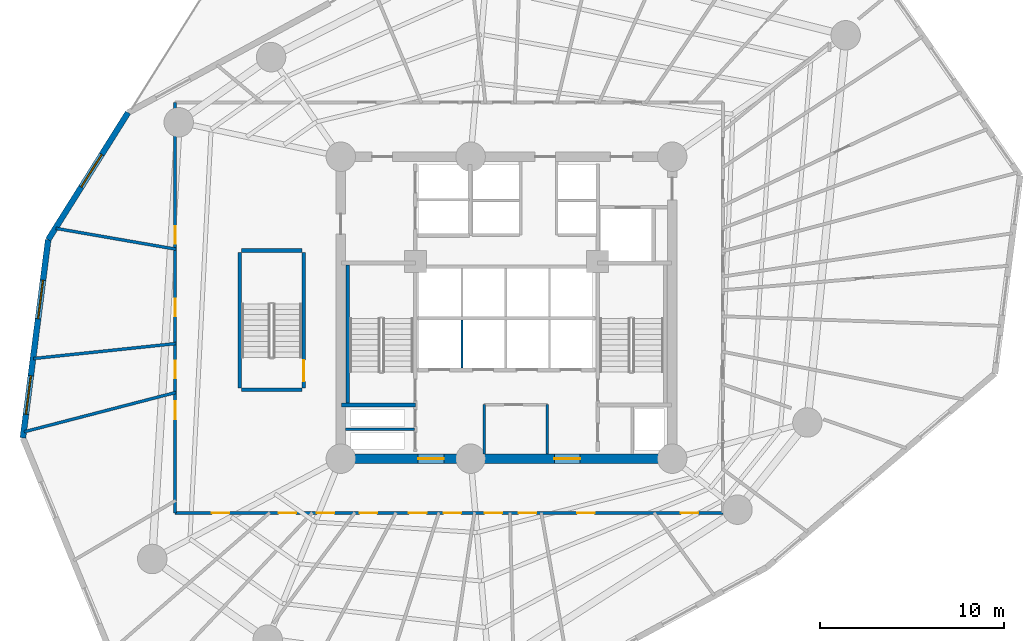
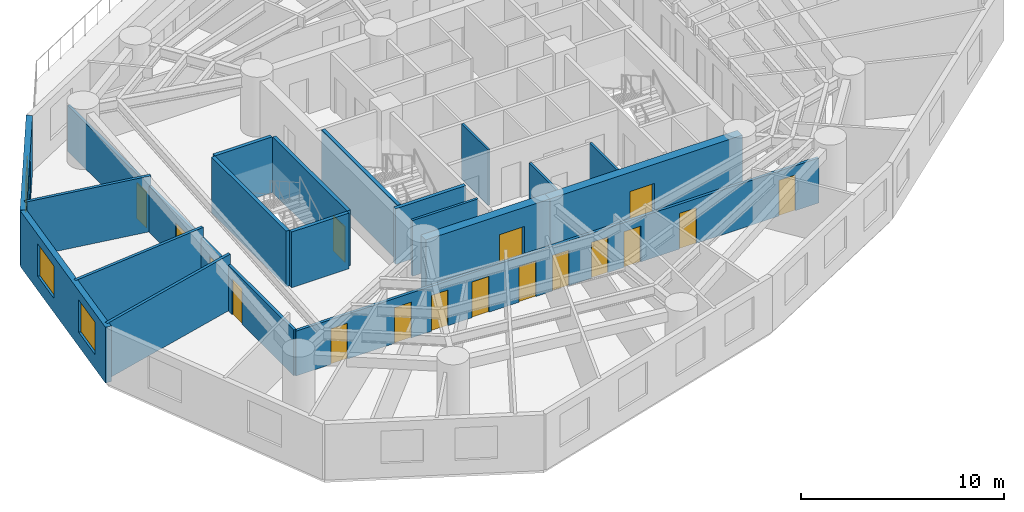
# One storey, part 3 of 9: 19 walls, 17 doors, 3 windows, 20 openings.
"""IFC4 building model written with IfcOpenShell, lengths in metres."""

from ifc_helpers import new_model, si_unit, direction, frame, frame_2d, origin, origin_with_axes, place, context, subcontext, project, spatial, rectangle, extrude, source, transform, mapped, material, layer, layer_set, type_object, element, fill, save


model = new_model("IFC4")

# Units and contexts
model_context = context("Model", 3, precision=1e-05, world=origin(), true_north=direction((0.0, 1.0)))
body_context = subcontext(model_context, "Body", "Model", "MODEL_VIEW")
ifc_project = project(units=[si_unit("LENGTHUNIT", "METRE"), si_unit("AREAUNIT", "SQUARE_METRE"), si_unit("VOLUMEUNIT", "CUBIC_METRE"), si_unit("PLANEANGLEUNIT", "RADIAN"), si_unit("MASSUNIT", "GRAM", prefix="KILO")], contexts=[model_context])

# Site, building, storey
site_placement = place(None, origin())
site = spatial("IfcSite", under=ifc_project, at=site_placement, CompositionType="ELEMENT")
building_placement = place(site_placement, origin())
building = spatial("IfcBuilding", under=site, at=building_placement, Name="Karkom Vertical University and Central Library", CompositionType="ELEMENT")
storey_placement = place(building_placement, frame((0.0, 0.0, 26.5)))
storey = spatial("IfcBuildingStorey", under=building, at=storey_placement, Name="L06", CompositionType="ELEMENT", Elevation=26.5)

# Wall, opening, window
ifc_material_1 = material(Name="Brick-faced precast concrete C45/55", Category="masonry")
ifc_layer_1 = layer(ifc_material_1, 0.320068359375)
ifc_layer_set_1 = layer_set([ifc_layer_1], Name="Brick-faced precast concrete C45/55")
wall_type_1 = type_object("IfcWallType", Name="ENV-WL-BRK-320", PredefinedType="SOLIDWALL", material=ifc_layer_set_1)
wall_1_placement = place(storey_placement, frame((7.9443359375, 37.095947265625, 0.0), z_axis=(0.0, 0.0, 1.0), x_axis=(-0.531962963156, -0.846767622096, 0.0)))
wall_1 = element("IfcWall", 1, at=wall_1_placement, inside=storey, type_object=wall_type_1, Name="Level 06 Brick-Faced Precast Facade Wall 01", PredefinedType="SOLIDWALL", context=body_context, shape_type="SweptSolid", body=[
    extrude(rectangle(XDim=8.15087890625, YDim=0.320068359375, at=frame_2d((4.075439453125, 0.0))), origin(), (0.0, 0.0, 1.0), 3.35009765625),
])
opening_1_placement = place(wall_1_placement, frame((2.677001953125, 0.0, 0.85009765625)))
opening_1 = element("IfcOpeningElement", 2, at=opening_1_placement, cuts=wall_1, Name="Opening WN-03", PredefinedType="OPENING", context=body_context, shape_type="SweptSolid", body=[
    extrude(rectangle(XDim=2.10009765625, YDim=1.949951171875, at=frame_2d((1.050048828125, 0.97509765625))), frame((0.0, 0.169921875, 0.0), z_axis=(0.0, -1.0, 0.0), x_axis=(1.0, 0.0, 0.0)), (0.0, 0.0, 1.0), 0.340087890625),
])
ifc_material_2 = material(Name="Aluminium thermal-break frame with solar-control IGU", Category="aluminium")
window_type = type_object("IfcWindowType", Name="ENV-WIN-WN-03", PartitioningType="SINGLE_PANEL", PredefinedType="WINDOW", material=ifc_material_2)
shared_shape_1 = source(origin_with_axes(), body_context, "Body", "SweptSolid", [
    extrude(rectangle(XDim=2.10009765625, YDim=1.949951171875, at=frame_2d((1.050048828125, 0.97509765625))), frame((0.0, 0.030029296875, 0.0), z_axis=(0.0, -1.0, 0.0), x_axis=(1.0, 0.0, 0.0)), (0.0, 0.0, 1.0), 0.06005859375),
])
window_1_placement = place(opening_1_placement, origin())
window_1 = element("IfcWindow", 3, at=window_1_placement, inside=storey, type_object=window_type, Name="Level 06 Punched Window 1.1", OverallHeight=1.949951171875, OverallWidth=2.10009765625, PartitioningType="SINGLE_PANEL", PredefinedType="WINDOW", context=body_context, shape_type="MappedRepresentation", body=[
    mapped(shared_shape_1, transform((0.0, 0.0, 0.0), scale=1.0)),
])
fill(opening_1, window_1)

# Wall, openings, windows
wall_2_placement = place(storey_placement, frame((3.6083984375, 30.194091796875, 0.0), z_axis=(0.0, 0.0, 1.0), x_axis=(-0.126495776424, -0.991967145901, 0.0)))
wall_2 = element("IfcWall", 4, at=wall_2_placement, inside=storey, type_object=wall_type_1, Name="Level 06 Brick-Faced Precast Facade Wall 02", PredefinedType="SOLIDWALL", context=body_context, shape_type="SweptSolid", body=[
    extrude(rectangle(XDim=10.8525390625, YDim=0.320068359375, at=frame_2d((5.42626953125, 0.0))), origin(), (0.0, 0.0, 1.0), 3.35009765625),
])
opening_2_placement = place(wall_2_placement, frame((2.22802734375, 0.0, 0.85009765625)))
opening_2 = element("IfcOpeningElement", 5, at=opening_2_placement, cuts=wall_2, Name="Opening WN-03", PredefinedType="OPENING", context=body_context, shape_type="SweptSolid", body=[
    extrude(rectangle(XDim=2.10009765625, YDim=1.949951171875, at=frame_2d((1.050048828125, 0.97509765625))), frame((0.0, 0.169921875, 0.0), z_axis=(0.0, -1.0, 0.0), x_axis=(1.0, 0.0, 0.0)), (0.0, 0.0, 1.0), 0.340087890625),
])
opening_3_placement = place(wall_2_placement, frame((7.448974609375, 0.0, 0.85009765625)))
opening_3 = element("IfcOpeningElement", 6, at=opening_3_placement, cuts=wall_2, Name="Opening WN-03", PredefinedType="OPENING", context=body_context, shape_type="SweptSolid", body=[
    extrude(rectangle(XDim=2.10009765625, YDim=1.949951171875, at=frame_2d((1.050048828125, 0.97509765625))), frame((0.0, 0.169921875, 0.0), z_axis=(0.0, -1.0, 0.0), x_axis=(1.0, 0.0, 0.0)), (0.0, 0.0, 1.0), 0.340087890625),
])
window_2_placement = place(opening_2_placement, origin())
window_2 = element("IfcWindow", 7, at=window_2_placement, inside=storey, type_object=window_type, Name="Level 06 Punched Window 2.1", OverallHeight=1.949951171875, OverallWidth=2.10009765625, PartitioningType="SINGLE_PANEL", PredefinedType="WINDOW", context=body_context, shape_type="MappedRepresentation", body=[
    mapped(shared_shape_1, transform((0.0, 0.0, 0.0), scale=1.0)),
])
fill(opening_2, window_2)
window_3_placement = place(opening_3_placement, origin())
window_3 = element("IfcWindow", 8, at=window_3_placement, inside=storey, type_object=window_type, Name="Level 06 Punched Window 2.2", OverallHeight=1.949951171875, OverallWidth=2.10009765625, PartitioningType="SINGLE_PANEL", PredefinedType="WINDOW", context=body_context, shape_type="MappedRepresentation", body=[
    mapped(shared_shape_1, transform((0.0, 0.0, 0.0), scale=1.0)),
])
fill(opening_3, window_3)

# Wall, openings, doors
ifc_material_3 = material(Name="Insulated metal-stud drywall 160mm", Category="gypsum")
ifc_layer_2 = layer(ifc_material_3, 0.159912109375)
ifc_layer_set_2 = layer_set([ifc_layer_2], Name="Insulated metal-stud drywall 160mm")
wall_type_2 = type_object("IfcWallType", Name="INT-WL-COR-160", PredefinedType="PARTITIONING", material=ifc_layer_set_2)
wall_3_placement = place(storey_placement, frame((40.25, 15.35009765625, 0.0), z_axis=(0.0, 0.0, 1.0), x_axis=(-1.0, 0.0, 0.0)))
wall_3 = element("IfcWall", 9, at=wall_3_placement, inside=storey, type_object=wall_type_2, Name="Level 06 Interior Partition Wall Level 06-CORW-CW-001", PredefinedType="PARTITIONING", context=body_context, shape_type="SweptSolid", body=[
    extrude(rectangle(XDim=29.75, YDim=0.159912109375, at=frame_2d((14.875, 0.0))), origin(), (0.0, 0.0, 1.0), 2.699951171875),
])
opening_4_placement = place(wall_3_placement, frame((26.802978515625, 0.0, 0.0)))
opening_4 = element("IfcOpeningElement", 10, at=opening_4_placement, cuts=wall_3, Name="Opening D-RM1", PredefinedType="OPENING", context=body_context, shape_type="SweptSolid", body=[
    extrude(rectangle(XDim=0.949951171875, YDim=2.14990234375, at=frame_2d((0.47509765625, 1.074951171875))), frame((0.0, 0.08984375, 0.0), z_axis=(0.0, -1.0, 0.0), x_axis=(1.0, 0.0, 0.0)), (0.0, 0.0, 1.0), 0.179931640625),
])
opening_5_placement = place(wall_3_placement, frame((23.181396484375, 0.0, 0.0)))
opening_5 = element("IfcOpeningElement", 11, at=opening_5_placement, cuts=wall_3, Name="Opening D-RM1", PredefinedType="OPENING", context=body_context, shape_type="SweptSolid", body=[
    extrude(rectangle(XDim=0.949951171875, YDim=2.14990234375, at=frame_2d((0.47509765625, 1.074951171875))), frame((0.0, 0.08984375, 0.0), z_axis=(0.0, -1.0, 0.0), x_axis=(1.0, 0.0, 0.0)), (0.0, 0.0, 1.0), 0.179931640625),
])
opening_6_placement = place(wall_3_placement, frame((21.097412109375, 0.0, 0.0)))
opening_6 = element("IfcOpeningElement", 12, at=opening_6_placement, cuts=wall_3, Name="Opening D-RM1", PredefinedType="OPENING", context=body_context, shape_type="SweptSolid", body=[
    extrude(rectangle(XDim=0.949951171875, YDim=2.14990234375, at=frame_2d((0.47509765625, 1.074951171875))), frame((0.0, 0.08984375, 0.0), z_axis=(0.0, -1.0, 0.0), x_axis=(1.0, 0.0, 0.0)), (0.0, 0.0, 1.0), 0.179931640625),
])
opening_7_placement = place(wall_3_placement, frame((18.7724609375, 0.0, 0.0)))
opening_7 = element("IfcOpeningElement", 13, at=opening_7_placement, cuts=wall_3, Name="Opening D-RM1", PredefinedType="OPENING", context=body_context, shape_type="SweptSolid", body=[
    extrude(rectangle(XDim=0.949951171875, YDim=2.14990234375, at=frame_2d((0.47509765625, 1.074951171875))), frame((0.0, 0.08984375, 0.0), z_axis=(0.0, -1.0, 0.0), x_axis=(1.0, 0.0, 0.0)), (0.0, 0.0, 1.0), 0.179931640625),
])
opening_8_placement = place(wall_3_placement, frame((16.08935546875, 0.0, 0.0)))
opening_8 = element("IfcOpeningElement", 14, at=opening_8_placement, cuts=wall_3, Name="Opening FD-RM2", PredefinedType="OPENING", context=body_context, shape_type="SweptSolid", body=[
    extrude(rectangle(XDim=0.9599609375, YDim=2.14990234375, at=frame_2d((0.47998046875, 1.074951171875))), frame((0.0, 0.08984375, 0.0), z_axis=(0.0, -1.0, 0.0), x_axis=(1.0, 0.0, 0.0)), (0.0, 0.0, 1.0), 0.179931640625),
])
opening_9_placement = place(wall_3_placement, frame((14.2099609375, 0.0, 0.0)))
opening_9 = element("IfcOpeningElement", 15, at=opening_9_placement, cuts=wall_3, Name="Opening D-RM1", PredefinedType="OPENING", context=body_context, shape_type="SweptSolid", body=[
    extrude(rectangle(XDim=0.949951171875, YDim=2.14990234375, at=frame_2d((0.47509765625, 1.074951171875))), frame((0.0, 0.08984375, 0.0), z_axis=(0.0, -1.0, 0.0), x_axis=(1.0, 0.0, 0.0)), (0.0, 0.0, 1.0), 0.179931640625),
])
opening_10_placement = place(wall_3_placement, frame((11.99462890625, 0.0, 0.0)))
opening_10 = element("IfcOpeningElement", 16, at=opening_10_placement, cuts=wall_3, Name="Opening D-RM1", PredefinedType="OPENING", context=body_context, shape_type="SweptSolid", body=[
    extrude(rectangle(XDim=0.949951171875, YDim=2.14990234375, at=frame_2d((0.47509765625, 1.074951171875))), frame((0.0, 0.08984375, 0.0), z_axis=(0.0, -1.0, 0.0), x_axis=(1.0, 0.0, 0.0)), (0.0, 0.0, 1.0), 0.179931640625),
])
opening_11_placement = place(wall_3_placement, frame((10.12744140625, 0.0, 0.0)))
opening_11 = element("IfcOpeningElement", 17, at=opening_11_placement, cuts=wall_3, Name="Opening FD-RM2", PredefinedType="OPENING", context=body_context, shape_type="SweptSolid", body=[
    extrude(rectangle(XDim=0.9599609375, YDim=2.14990234375, at=frame_2d((0.47998046875, 1.074951171875))), frame((0.0, 0.08984375, 0.0), z_axis=(0.0, -1.0, 0.0), x_axis=(1.0, 0.0, 0.0)), (0.0, 0.0, 1.0), 0.179931640625),
])
opening_12_placement = place(wall_3_placement, frame((6.96240234375, 0.0, 0.0)))
opening_12 = element("IfcOpeningElement", 18, at=opening_12_placement, cuts=wall_3, Name="Opening D-RM1", PredefinedType="OPENING", context=body_context, shape_type="SweptSolid", body=[
    extrude(rectangle(XDim=0.949951171875, YDim=2.14990234375, at=frame_2d((0.47509765625, 1.074951171875))), frame((0.0, 0.08984375, 0.0), z_axis=(0.0, -1.0, 0.0), x_axis=(1.0, 0.0, 0.0)), (0.0, 0.0, 1.0), 0.179931640625),
])
opening_13_placement = place(wall_3_placement, frame((1.324951171875, 0.0, 0.0)))
opening_13 = element("IfcOpeningElement", 19, at=opening_13_placement, cuts=wall_3, Name="Opening D-RM1", PredefinedType="OPENING", context=body_context, shape_type="SweptSolid", body=[
    extrude(rectangle(XDim=0.949951171875, YDim=2.14990234375, at=frame_2d((0.47509765625, 1.074951171875))), frame((0.0, 0.08984375, 0.0), z_axis=(0.0, -1.0, 0.0), x_axis=(1.0, 0.0, 0.0)), (0.0, 0.0, 1.0), 0.179931640625),
])
ifc_material_4 = material(Name="Fire-rated oak veneer door", Category="wood")
door_type_1 = type_object("IfcDoorType", Name="INT-DR-FRM2", OperationType="NOTDEFINED", PredefinedType="DOOR", material=ifc_material_4)
shared_shape_2 = source(origin_with_axes(), body_context, "Body", "SweptSolid", [
    extrude(rectangle(XDim=0.9599609375, YDim=2.14990234375, at=frame_2d((0.47998046875, 1.074951171875))), frame((0.0, 0.02490234375, 0.0), z_axis=(0.0, -1.0, 0.0), x_axis=(1.0, 0.0, 0.0)), (0.0, 0.0, 1.0), 0.050048828125),
])
door_1_placement = place(opening_8_placement, origin())
door_1 = element("IfcDoor", 20, at=door_1_placement, inside=storey, type_object=door_type_1, Name="Level 06 Room Entry Door 060", OperationType="SINGLE_SWING_LEFT", OverallHeight=2.14990234375, OverallWidth=0.9599609375, PredefinedType="DOOR", context=body_context, shape_type="MappedRepresentation", body=[
    mapped(shared_shape_2, transform((0.0, 0.0, 0.0), scale=1.0)),
])
fill(opening_8, door_1)
door_2_placement = place(opening_11_placement, origin())
door_2 = element("IfcDoor", 21, at=door_2_placement, inside=storey, type_object=door_type_1, Name="Level 06 Room Entry Door 090", OperationType="SINGLE_SWING_RIGHT", OverallHeight=2.14990234375, OverallWidth=0.9599609375, PredefinedType="DOOR", context=body_context, shape_type="MappedRepresentation", body=[
    mapped(shared_shape_2, transform((0.0, 0.0, 0.0), scale=1.0)),
])
fill(opening_11, door_2)
ifc_material_5 = material(Name="Solid-core oak veneer door", Category="wood")
door_type_2 = type_object("IfcDoorType", Name="INT-DR-RM1", OperationType="NOTDEFINED", PredefinedType="DOOR", material=ifc_material_5)
shared_shape_3 = source(origin_with_axes(), body_context, "Body", "SweptSolid", [
    extrude(rectangle(XDim=0.949951171875, YDim=2.14990234375, at=frame_2d((0.47509765625, 1.074951171875))), frame((0.0, 0.02490234375, 0.0), z_axis=(0.0, -1.0, 0.0), x_axis=(1.0, 0.0, 0.0)), (0.0, 0.0, 1.0), 0.050048828125),
])
door_3_placement = place(opening_4_placement, origin())
door_3 = element("IfcDoor", 22, at=door_3_placement, inside=storey, type_object=door_type_2, Name="Level 06 Room Entry Door 020", OperationType="SINGLE_SWING_LEFT", OverallHeight=2.14990234375, OverallWidth=0.949951171875, PredefinedType="DOOR", context=body_context, shape_type="MappedRepresentation", body=[
    mapped(shared_shape_3, transform((0.0, 0.0, 0.0), scale=1.0)),
])
fill(opening_4, door_3)
door_4_placement = place(opening_5_placement, origin())
door_4 = element("IfcDoor", 23, at=door_4_placement, inside=storey, type_object=door_type_2, Name="Level 06 Room Entry Door 030", OperationType="SINGLE_SWING_RIGHT", OverallHeight=2.14990234375, OverallWidth=0.949951171875, PredefinedType="DOOR", context=body_context, shape_type="MappedRepresentation", body=[
    mapped(shared_shape_3, transform((0.0, 0.0, 0.0), scale=1.0)),
])
fill(opening_5, door_4)
door_5_placement = place(opening_6_placement, origin())
door_5 = element("IfcDoor", 24, at=door_5_placement, inside=storey, type_object=door_type_2, Name="Level 06 Room Entry Door 040", OperationType="SINGLE_SWING_LEFT", OverallHeight=2.14990234375, OverallWidth=0.949951171875, PredefinedType="DOOR", context=body_context, shape_type="MappedRepresentation", body=[
    mapped(shared_shape_3, transform((0.0, 0.0, 0.0), scale=1.0)),
])
fill(opening_6, door_5)
door_6_placement = place(opening_7_placement, origin())
door_6 = element("IfcDoor", 25, at=door_6_placement, inside=storey, type_object=door_type_2, Name="Level 06 Room Entry Door 050", OperationType="SINGLE_SWING_RIGHT", OverallHeight=2.14990234375, OverallWidth=0.949951171875, PredefinedType="DOOR", context=body_context, shape_type="MappedRepresentation", body=[
    mapped(shared_shape_3, transform((0.0, 0.0, 0.0), scale=1.0)),
])
fill(opening_7, door_6)
door_7_placement = place(opening_9_placement, origin())
door_7 = element("IfcDoor", 26, at=door_7_placement, inside=storey, type_object=door_type_2, Name="Level 06 Room Entry Door 070", OperationType="SINGLE_SWING_RIGHT", OverallHeight=2.14990234375, OverallWidth=0.949951171875, PredefinedType="DOOR", context=body_context, shape_type="MappedRepresentation", body=[
    mapped(shared_shape_3, transform((0.0, 0.0, 0.0), scale=1.0)),
])
fill(opening_9, door_7)
door_8_placement = place(opening_10_placement, origin())
door_8 = element("IfcDoor", 27, at=door_8_placement, inside=storey, type_object=door_type_2, Name="Level 06 Room Entry Door 080", OperationType="SINGLE_SWING_LEFT", OverallHeight=2.14990234375, OverallWidth=0.949951171875, PredefinedType="DOOR", context=body_context, shape_type="MappedRepresentation", body=[
    mapped(shared_shape_3, transform((0.0, 0.0, 0.0), scale=1.0)),
])
fill(opening_10, door_8)
door_9_placement = place(opening_12_placement, origin())
door_9 = element("IfcDoor", 28, at=door_9_placement, inside=storey, type_object=door_type_2, Name="Level 06 Room Entry Door 100", OperationType="SINGLE_SWING_LEFT", OverallHeight=2.14990234375, OverallWidth=0.949951171875, PredefinedType="DOOR", context=body_context, shape_type="MappedRepresentation", body=[
    mapped(shared_shape_3, transform((0.0, 0.0, 0.0), scale=1.0)),
])
fill(opening_12, door_9)
door_10_placement = place(opening_13_placement, origin())
door_10 = element("IfcDoor", 29, at=door_10_placement, inside=storey, type_object=door_type_2, Name="Level 06 Room Entry Door 110", OperationType="SINGLE_SWING_RIGHT", OverallHeight=2.14990234375, OverallWidth=0.949951171875, PredefinedType="DOOR", context=body_context, shape_type="MappedRepresentation", body=[
    mapped(shared_shape_3, transform((0.0, 0.0, 0.0), scale=1.0)),
])
fill(opening_13, door_10)

wall_4_placement = place(storey_placement, frame((10.5, 15.35009765625, 0.0), z_axis=(0.0, 0.0, 1.0), x_axis=(0.0, 1.0, 0.0)))
wall_4 = element("IfcWall", 30, at=wall_4_placement, inside=storey, type_object=wall_type_2, Name="Level 06 Interior Partition Wall Level 06-CORW-CW-002", PredefinedType="PARTITIONING", context=body_context, shape_type="SweptSolid", body=[
    extrude(rectangle(XDim=22.2998046875, YDim=0.159912109375, at=frame_2d((11.14990234375, 0.0))), origin(), (0.0, 0.0, 1.0), 2.75),
])
opening_14_placement = place(wall_4_placement, frame((7.330078125, 0.0, 0.0)))
opening_14 = element("IfcOpeningElement", 31, at=opening_14_placement, cuts=wall_4, Name="Opening D-RM1", PredefinedType="OPENING", context=body_context, shape_type="SweptSolid", body=[
    extrude(rectangle(XDim=0.949951171875, YDim=2.14990234375, at=frame_2d((0.47509765625, 1.074951171875))), frame((0.0, 0.08984375, 0.0), z_axis=(0.0, -1.0, 0.0), x_axis=(1.0, 0.0, 0.0)), (0.0, 0.0, 1.0), 0.179931640625),
])
opening_15_placement = place(wall_4_placement, frame((5.10009765625, 0.0, 0.0)))
opening_15 = element("IfcOpeningElement", 32, at=opening_15_placement, cuts=wall_4, Name="Opening FD-RM2", PredefinedType="OPENING", context=body_context, shape_type="SweptSolid", body=[
    extrude(rectangle(XDim=0.9599609375, YDim=2.14990234375, at=frame_2d((0.47998046875, 1.074951171875))), frame((0.0, 0.08984375, 0.0), z_axis=(0.0, -1.0, 0.0), x_axis=(1.0, 0.0, 0.0)), (0.0, 0.0, 1.0), 0.179931640625),
])
opening_16_placement = place(wall_4_placement, frame((14.610107421875, 0.0, 0.0)))
opening_16 = element("IfcOpeningElement", 33, at=opening_16_placement, cuts=wall_4, Name="Opening FD-RM2", PredefinedType="OPENING", context=body_context, shape_type="SweptSolid", body=[
    extrude(rectangle(XDim=0.9599609375, YDim=2.14990234375, at=frame_2d((0.47998046875, 1.074951171875))), frame((0.0, 0.08984375, 0.0), z_axis=(0.0, -1.0, 0.0), x_axis=(1.0, 0.0, 0.0)), (0.0, 0.0, 1.0), 0.179931640625),
])
opening_17_placement = place(wall_4_placement, frame((10.675048828125, 0.0, 0.0)))
opening_17 = element("IfcOpeningElement", 34, at=opening_17_placement, cuts=wall_4, Name="Opening D-RM1", PredefinedType="OPENING", context=body_context, shape_type="SweptSolid", body=[
    extrude(rectangle(XDim=0.949951171875, YDim=2.14990234375, at=frame_2d((0.47509765625, 1.074951171875))), frame((0.0, 0.08984375, 0.0), z_axis=(0.0, -1.0, 0.0), x_axis=(1.0, 0.0, 0.0)), (0.0, 0.0, 1.0), 0.179931640625),
])
door_11_placement = place(opening_15_placement, origin())
door_11 = element("IfcDoor", 35, at=door_11_placement, inside=storey, type_object=door_type_1, Name="Level 06 Room Entry Door 010", OperationType="SINGLE_SWING_RIGHT", OverallHeight=2.14990234375, OverallWidth=0.9599609375, PredefinedType="DOOR", context=body_context, shape_type="MappedRepresentation", body=[
    mapped(shared_shape_2, transform((0.0, 0.0, 0.0), scale=1.0)),
])
fill(opening_15, door_11)
door_12_placement = place(opening_16_placement, origin())
door_12 = element("IfcDoor", 36, at=door_12_placement, inside=storey, type_object=door_type_1, Name="Level 06 Room Entry Door 300", OperationType="SINGLE_SWING_LEFT", OverallHeight=2.14990234375, OverallWidth=0.9599609375, PredefinedType="DOOR", context=body_context, shape_type="MappedRepresentation", body=[
    mapped(shared_shape_2, transform((0.0, 0.0, 0.0), scale=1.0)),
])
fill(opening_16, door_12)
door_13_placement = place(opening_14_placement, origin())
door_13 = element("IfcDoor", 37, at=door_13_placement, inside=storey, type_object=door_type_2, Name="Level 06 Room Entry Door 000", OperationType="SINGLE_SWING_LEFT", OverallHeight=2.14990234375, OverallWidth=0.949951171875, PredefinedType="DOOR", context=body_context, shape_type="MappedRepresentation", body=[
    mapped(shared_shape_3, transform((0.0, 0.0, 0.0), scale=1.0)),
])
fill(opening_14, door_13)
door_14_placement = place(opening_17_placement, origin())
door_14 = element("IfcDoor", 38, at=door_14_placement, inside=storey, type_object=door_type_2, Name="Level 06 Room Entry Door 310", OperationType="SINGLE_SWING_RIGHT", OverallHeight=2.14990234375, OverallWidth=0.949951171875, PredefinedType="DOOR", context=body_context, shape_type="MappedRepresentation", body=[
    mapped(shared_shape_3, transform((0.0, 0.0, 0.0), scale=1.0)),
])
fill(opening_17, door_14)

# Walls
wall_5_placement = place(storey_placement, frame((10.54345703125, 21.89892578125, 0.0), z_axis=(0.0, 0.0, 1.0), x_axis=(-0.96789820828, -0.25134251214, 0.0)))
element("IfcWall", 39, at=wall_5_placement, inside=storey, type_object=wall_type_2, Name="Level 06 Interior Partition Wall Level 06-PW-001", PredefinedType="PARTITIONING", context=body_context, shape_type="SweptSolid", body=[
    extrude(rectangle(XDim=8.509033203125, YDim=0.159912109375, at=frame_2d((4.25439453125, 0.0))), origin(), (0.0, 0.0, 1.0), 3.35009765625),
])
wall_6_placement = place(storey_placement, frame((2.812255859375, 23.73876953125, 0.0), z_axis=(0.0, 0.0, 1.0), x_axis=(0.994515255514, 0.104591617975, 0.0)))
element("IfcWall", 40, at=wall_6_placement, inside=storey, type_object=wall_type_2, Name="Level 06 Interior Partition Wall Level 06-PW-002", PredefinedType="PARTITIONING", context=body_context, shape_type="SweptSolid", body=[
    extrude(rectangle(XDim=7.775390625, YDim=0.159912109375, at=frame_2d((3.8876953125, 0.0))), origin(), (0.0, 0.0, 1.0), 3.35009765625),
])
wall_7_placement = place(storey_placement, frame((10.54443359375, 29.67724609375, 0.0), z_axis=(0.0, 0.0, 1.0), x_axis=(-0.985268064988, 0.171017075509, 0.0)))
element("IfcWall", 41, at=wall_7_placement, inside=storey, type_object=wall_type_2, Name="Level 06 Interior Partition Wall Level 06-PW-037", PredefinedType="PARTITIONING", context=body_context, shape_type="SweptSolid", body=[
    extrude(rectangle(XDim=6.612548828125, YDim=0.159912109375, at=frame_2d((3.30615234375, 0.0))), origin(), (0.0, 0.0, 1.0), 3.35009765625),
])
ifc_material_6 = material(Name="Moisture-resistant drywall 120mm", Category="gypsum")
ifc_layer_3 = layer(ifc_material_6, 0.1201171875)
ifc_layer_set_3 = layer_set([ifc_layer_3], Name="Moisture-resistant drywall 120mm")
wall_type_3 = type_object("IfcWallType", Name="INT-WL-INT-120H", PredefinedType="PARTITIONING", material=ifc_layer_set_3)
wall_8_placement = place(storey_placement, frame((26.080078125, 23.219970703125, 0.0), z_axis=(0.0, 0.0, 1.0), x_axis=(0.0, 1.0, 0.0)))
element("IfcWall", 42, at=wall_8_placement, inside=storey, type_object=wall_type_3, Name="Level 06 Interior Partition Wall Level 06-CW-PL-DIV1", PredefinedType="PARTITIONING", context=body_context, shape_type="SweptSolid", body=[
    extrude(rectangle(XDim=2.60009765625, YDim=0.1201171875, at=frame_2d((1.300048828125, 0.0))), origin(), (0.0, 0.0, 1.0), 3.35009765625),
])
ifc_material_7 = material(Name="Metal-stud gypsum partition 140mm", Category="gypsum")
ifc_layer_4 = layer(ifc_material_7, 0.139892578125)
ifc_layer_set_4 = layer_set([ifc_layer_4], Name="Metal-stud gypsum partition 140mm")
wall_type_4 = type_object("IfcWallType", Name="INT-WL-SUB-140", PredefinedType="PARTITIONING", material=ifc_layer_set_4)
for number, where, z_axis, x_axis, name in (
    (43, (27.280029296875, 18.550048828125, 0.0), (0.0, 0.0, 1.0), (0.0, 1.0, 0.0), "Level 06 Interior Partition Wall Level 06-CW-KBAY-W"),
    (44, (30.719970703125, 18.550048828125, 0.0), (0.0, 0.0, 1.0), (0.0, 1.0, 0.0), "Level 06 Interior Partition Wall Level 06-CW-KBAY-E"),
):
    element("IfcWall", number, at=place(storey_placement, frame(where, z_axis=z_axis, x_axis=x_axis)), inside=storey, type_object=wall_type_4, Name=name, PredefinedType="PARTITIONING", context=body_context, shape_type="SweptSolid", body=[
        extrude(rectangle(XDim=2.68994140625, YDim=0.139892578125, at=frame_2d((1.344970703125, 0.0))), origin(), (0.0, 0.0, 1.0), 3.35009765625),
    ])
ifc_layer_5 = layer(ifc_material_7, 0.139892578125)
ifc_layer_set_5 = layer_set([ifc_layer_5], Name="Metal-stud gypsum partition 140mm")
wall_type_5 = type_object("IfcWallType", Name="INT-WL-SUB-140H", PredefinedType="PARTITIONING", material=ifc_layer_set_5)
wall_9_placement = place(storey_placement, frame((19.757080078125, 19.889892578125, 0.0), z_axis=(0.0, 0.0, 1.0), x_axis=(1.0, 0.0, 0.0)))
element("IfcWall", 45, at=wall_9_placement, inside=storey, type_object=wall_type_5, Name="Level 06 Interior Partition Wall Level 06-CW-RIS-W", PredefinedType="PARTITIONING", context=body_context, shape_type="SweptSolid", body=[
    extrude(rectangle(XDim=3.7392578125, YDim=0.139892578125, at=frame_2d((1.86962890625, 0.0))), origin(), (0.0, 0.0, 1.0), 3.35009765625),
])

# Wall, opening, door
ifc_material_8 = material(Name="Concrete C50/60", Category="concrete")
ifc_layer_6 = layer(ifc_material_8, 0.5)
ifc_layer_set_6 = layer_set([ifc_layer_6], Name="Concrete C50/60")
wall_type_6 = type_object("IfcWallType", Name="STR-WL-CW-500", PredefinedType="SHEAR", material=ifc_layer_set_6)
wall_10_placement = place(storey_placement, frame((19.5, 18.300048828125, 0.0), z_axis=(0.0, 0.0, 1.0), x_axis=(1.0, 0.0, 0.0)))
wall_10 = element("IfcWall", 46, at=wall_10_placement, inside=storey, type_object=wall_type_6, Name="Level 06 Central Core Shear Wall SW1", PredefinedType="SHEAR", context=body_context, shape_type="SweptSolid", body=[
    extrude(rectangle(XDim=7.050048828125, YDim=0.5, at=frame_2d((3.52490234375, 0.0))), origin(), (0.0, 0.0, 1.0), 3.35009765625),
])
opening_18_placement = place(wall_10_placement, frame((4.199951171875, 0.0, 0.0)))
opening_18 = element("IfcOpeningElement", 47, at=opening_18_placement, cuts=wall_10, Name="Opening FD-CLB", PredefinedType="OPENING", context=body_context, shape_type="SweptSolid", body=[
    extrude(rectangle(XDim=1.39990234375, YDim=2.199951171875, at=frame_2d((0.699951171875, 1.10009765625))), frame((0.0, 0.260009765625, 0.0), z_axis=(0.0, -1.0, 0.0), x_axis=(1.0, 0.0, 0.0)), (0.0, 0.0, 1.0), 0.52001953125),
])
ifc_material_9 = material(Name="Painted steel fire door", Category="steel")
door_type_3 = type_object("IfcDoorType", Name="INT-DR-CLB", OperationType="DOUBLE_DOOR_SINGLE_SWING", PredefinedType="DOOR", material=ifc_material_9)
shared_shape_4 = source(origin_with_axes(), body_context, "Body", "SweptSolid", [
    extrude(rectangle(XDim=1.39990234375, YDim=2.199951171875, at=frame_2d((0.699951171875, 1.10009765625))), frame((0.0, 0.02490234375, 0.0), z_axis=(0.0, -1.0, 0.0), x_axis=(1.0, 0.0, 0.0)), (0.0, 0.0, 1.0), 0.050048828125),
])
door_15_placement = place(opening_18_placement, origin())
door_15 = element("IfcDoor", 48, at=door_15_placement, inside=storey, type_object=door_type_3, Name="Level 06 South Core Lobby West Exit Door", OperationType="DOUBLE_DOOR_SINGLE_SWING", OverallHeight=2.199951171875, OverallWidth=1.39990234375, PredefinedType="DOOR", context=body_context, shape_type="MappedRepresentation", body=[
    mapped(shared_shape_4, transform((0.0, 0.0, 0.0), scale=1.0)),
])
fill(opening_18, door_15)

wall_11_placement = place(storey_placement, frame((26.550048828125, 18.300048828125, 0.0), z_axis=(0.0, 0.0, 1.0), x_axis=(1.0, 0.0, 0.0)))
wall_11 = element("IfcWall", 49, at=wall_11_placement, inside=storey, type_object=wall_type_6, Name="Level 06 Central Core Shear Wall SW2", PredefinedType="SHEAR", context=body_context, shape_type="SweptSolid", body=[
    extrude(rectangle(XDim=10.949951171875, YDim=0.5, at=frame_2d((5.47509765625, 0.0))), origin(), (0.0, 0.0, 1.0), 3.35009765625),
])
opening_19_placement = place(wall_11_placement, frame((4.550048828125, 0.0, 0.0)))
opening_19 = element("IfcOpeningElement", 50, at=opening_19_placement, cuts=wall_11, Name="Opening FD-CLB", PredefinedType="OPENING", context=body_context, shape_type="SweptSolid", body=[
    extrude(rectangle(XDim=1.39990234375, YDim=2.199951171875, at=frame_2d((0.699951171875, 1.10009765625))), frame((0.0, 0.260009765625, 0.0), z_axis=(0.0, -1.0, 0.0), x_axis=(1.0, 0.0, 0.0)), (0.0, 0.0, 1.0), 0.52001953125),
])
door_16_placement = place(opening_19_placement, origin())
door_16 = element("IfcDoor", 51, at=door_16_placement, inside=storey, type_object=door_type_3, Name="Level 06 South Core Lobby East Exit Door", OperationType="DOUBLE_DOOR_SINGLE_SWING", OverallHeight=2.199951171875, OverallWidth=1.39990234375, PredefinedType="DOOR", context=body_context, shape_type="MappedRepresentation", body=[
    mapped(shared_shape_4, transform((0.0, 0.0, 0.0), scale=1.0)),
])
fill(opening_19, door_16)

# Walls
ifc_material_10 = material(Name="Concrete C45/55", Category="concrete")
ifc_layer_7 = layer(ifc_material_10, 0.199951171875)
ifc_layer_set_7 = layer_set([ifc_layer_7], Name="Concrete C45/55")
wall_type_7 = type_object("IfcWallType", Name="STR-WL-ST-200", PredefinedType="SHEAR", material=ifc_layer_set_7)
wall_12_placement = place(storey_placement, frame((19.875, 21.320068359375, 0.0), z_axis=(0.0, 0.0, 1.0), x_axis=(0.0, 1.0, 0.0)))
element("IfcWall", 52, at=wall_12_placement, inside=storey, type_object=wall_type_7, Name="Level 06 Core Shaft Wall Level 06-CW-ST1-W", PredefinedType="SHEAR", context=body_context, shape_type="SweptSolid", body=[
    extrude(rectangle(XDim=7.5, YDim=0.199951171875, at=frame_2d((3.75, 0.0))), origin(), (0.0, 0.0, 1.0), 3.35009765625),
])
wall_13_placement = place(storey_placement, frame((14.014892578125, 22.14990234375, 0.0), z_axis=(0.0, 0.0, 1.0), x_axis=(0.0, 1.0, 0.0)))
element("IfcWall", 53, at=wall_13_placement, inside=storey, type_object=wall_type_7, Name="Level 06 Core Shaft Wall Level 06-W-ST3-W", PredefinedType="SHEAR", context=body_context, shape_type="SweptSolid", body=[
    extrude(rectangle(XDim=7.35009765625, YDim=0.199951171875, at=frame_2d((3.675048828125, 0.0))), origin(), (0.0, 0.0, 1.0), 3.35009765625),
])

# Wall, opening, door
wall_14_placement = place(storey_placement, frame((17.485107421875, 22.14990234375, 0.0), z_axis=(0.0, 0.0, 1.0), x_axis=(0.0, 1.0, 0.0)))
wall_14 = element("IfcWall", 54, at=wall_14_placement, inside=storey, type_object=wall_type_7, Name="Level 06 Core Shaft Wall Level 06-W-ST3-E", PredefinedType="SHEAR", context=body_context, shape_type="SweptSolid", body=[
    extrude(rectangle(XDim=7.35009765625, YDim=0.199951171875, at=frame_2d((3.675048828125, 0.0))), origin(), (0.0, 0.0, 1.0), 3.35009765625),
])
opening_20_placement = place(wall_14_placement, frame((0.35009765625, 0.0, 0.0)))
opening_20 = element("IfcOpeningElement", 55, at=opening_20_placement, cuts=wall_14, Name="Opening FD-ST1", PredefinedType="OPENING", context=body_context, shape_type="SweptSolid", body=[
    extrude(rectangle(XDim=1.14990234375, YDim=2.14990234375, at=frame_2d((0.574951171875, 1.074951171875))), frame((0.0, 0.10986328125, 0.0), z_axis=(0.0, -1.0, 0.0), x_axis=(1.0, 0.0, 0.0)), (0.0, 0.0, 1.0), 0.219970703125),
])
ifc_material_11 = material(Name="Painted steel acoustic fire door", Category="steel")
door_type_4 = type_object("IfcDoorType", Name="INT-DR-ST1", OperationType="NOTDEFINED", PredefinedType="DOOR", material=ifc_material_11)
shared_shape_5 = source(origin_with_axes(), body_context, "Body", "SweptSolid", [
    extrude(rectangle(XDim=1.14990234375, YDim=2.14990234375, at=frame_2d((0.574951171875, 1.074951171875))), frame((0.0, 0.02490234375, 0.0), z_axis=(0.0, -1.0, 0.0), x_axis=(1.0, 0.0, 0.0)), (0.0, 0.0, 1.0), 0.050048828125),
])
door_17_placement = place(opening_20_placement, origin())
door_17 = element("IfcDoor", 56, at=door_17_placement, inside=storey, type_object=door_type_4, Name="Level 06 Stair ST-3 Fire Door", OperationType="SINGLE_SWING_RIGHT", OverallHeight=2.14990234375, OverallWidth=1.14990234375, PredefinedType="DOOR", context=body_context, shape_type="MappedRepresentation", body=[
    mapped(shared_shape_5, transform((0.0, 0.0, 0.0), scale=1.0)),
])
fill(opening_20, door_17)

# Walls
wall_15_placement = place(storey_placement, frame((19.550048828125, 21.215087890625, 0.0), z_axis=(0.0, 0.0, 1.0), x_axis=(1.0, 0.0, 0.0)))
element("IfcWall", 57, at=wall_15_placement, inside=storey, type_object=wall_type_7, Name="Level 06 Core Shaft Wall Level 06-CW-ST1-S", PredefinedType="SHEAR", context=body_context, shape_type="SweptSolid", body=[
    extrude(rectangle(XDim=3.994873046875, YDim=0.199951171875, at=frame_2d((1.99755859375, 0.0))), origin(), (0.0, 0.0, 1.0), 3.35009765625),
])
for number, where, z_axis, x_axis, name in (
    (58, (14.1201171875, 22.044921875, 0.0), (0.0, 0.0, 1.0), (1.0, 0.0, 0.0), "Level 06 Core Shaft Wall Level 06-W-ST3-S"),
    (59, (14.1201171875, 29.60498046875, 0.0), (0.0, 0.0, 1.0), (1.0, 0.0, 0.0), "Level 06 Core Shaft Wall Level 06-W-ST3-N"),
):
    element("IfcWall", number, at=place(storey_placement, frame(where, z_axis=z_axis, x_axis=x_axis)), inside=storey, type_object=wall_type_7, Name=name, PredefinedType="SHEAR", context=body_context, shape_type="SweptSolid", body=[
        extrude(rectangle(XDim=3.259765625, YDim=0.199951171875, at=frame_2d((1.6298828125, 0.0))), origin(), (0.0, 0.0, 1.0), 3.35009765625),
    ])

save(model, "model.ifc")
